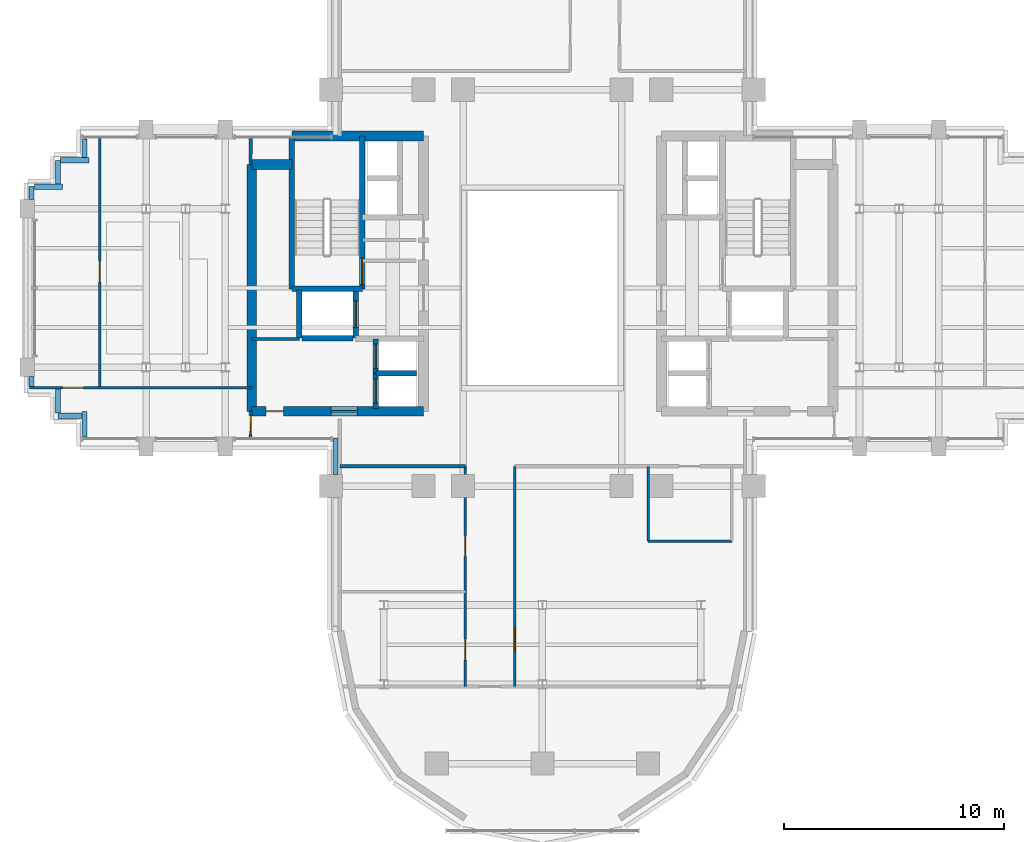
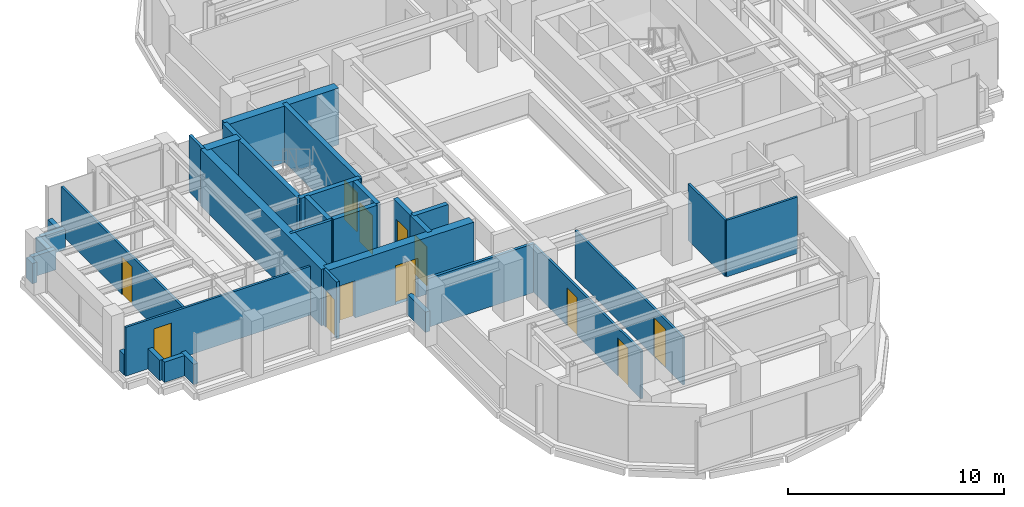
# One storey, part 8 of 14: 33 walls, 12 doors, 12 openings.
"""IFC4 building model written with IfcOpenShell, lengths in metres."""

from ifc_helpers import new_model, si_unit, direction, frame, frame_2d, origin, place, context, subcontext, project, spatial, rectangle, extrude, source, transform, mapped, material, layer, layer_set, type_object, element, fill, save


model = new_model("IFC4")

# Units and contexts
model_context = context("Model", 3, precision=1e-05, world=origin(), true_north=direction((0.0, 1.0)))
body_context = subcontext(model_context, "Body", "Model", "MODEL_VIEW")
ifc_project = project(units=[si_unit("LENGTHUNIT", "METRE"), si_unit("AREAUNIT", "SQUARE_METRE"), si_unit("VOLUMEUNIT", "CUBIC_METRE"), si_unit("PLANEANGLEUNIT", "RADIAN"), si_unit("MASSUNIT", "GRAM", prefix="KILO")], contexts=[model_context])

# Site, building, storey
site_placement = place(None, origin())
site = spatial("IfcSite", under=ifc_project, at=site_placement, CompositionType="ELEMENT")
building_placement = place(site_placement, origin())
building = spatial("IfcBuilding", under=site, at=building_placement, Name="Keilestroom Media Tower", CompositionType="ELEMENT")
storey_placement = place(building_placement, frame((0.0, 0.0, 110.800048828125)))
storey = spatial("IfcBuildingStorey", under=building, at=storey_placement, Name="L29", CompositionType="ELEMENT", Elevation=110.800048828125)

# Wall, openings, doors
ifc_material_1 = material(Name="Gypsum Plasterboard & Steel Stud", Category="steel")
ifc_layer_1 = layer(ifc_material_1, 0.1201171875)
ifc_layer_set_1 = layer_set([ifc_layer_1], Name="Gypsum Plasterboard & Steel Stud")
wall_type_1 = type_object("IfcWallType", Name="Interior-Partition-Wall-120", PredefinedType="PARTITIONING", material=ifc_layer_set_1)
wall_1_placement = place(storey_placement, frame((-3.5, -18.10009765625, 0.0), z_axis=(0.0, 0.0, 1.0), x_axis=(0.0, 1.0, 0.0)))
wall_1 = element("IfcWall", 1, at=wall_1_placement, inside=storey, type_object=wall_type_1, Name="L29 Interior Wall WP-L29-SL-SPW", PredefinedType="PARTITIONING", context=body_context, shape_type="SweptSolid", body=[
    extrude(rectangle(XDim=10.0, YDim=0.1201171875, at=frame_2d((5.0, 0.0))), origin(), (0.0, 0.0, 1.0), 2.699951171875),
])
opening_1_placement = place(wall_1_placement, frame((5.89990234375, 0.0, 0.0)))
opening_1 = element("IfcOpeningElement", 2, at=opening_1_placement, cuts=wall_1, Name="Opening DI-03", PredefinedType="OPENING", context=body_context, shape_type="SweptSolid", body=[
    extrude(rectangle(XDim=0.949951171875, YDim=2.14990234375, at=frame_2d((0.47509765625, 1.074951171875))), frame((0.0, 0.070068359375, 0.0), z_axis=(0.0, -1.0, 0.0), x_axis=(1.0, 0.0, 0.0)), (0.0, 0.0, 1.0), 0.14013671875),
])
opening_2_placement = place(wall_1_placement, frame((1.199951171875, 0.0, 0.0)))
opening_2 = element("IfcOpeningElement", 3, at=opening_2_placement, cuts=wall_1, Name="Opening DI-03", PredefinedType="OPENING", context=body_context, shape_type="SweptSolid", body=[
    extrude(rectangle(XDim=0.949951171875, YDim=2.14990234375, at=frame_2d((0.47509765625, 1.074951171875))), frame((0.0, 0.070068359375, 0.0), z_axis=(0.0, -1.0, 0.0), x_axis=(1.0, 0.0, 0.0)), (0.0, 0.0, 1.0), 0.14013671875),
])
ifc_material_2 = material(Name="Lacquered European Oak Leaf", Category="wood")
door_type_1 = type_object("IfcDoorType", Name="Interior-Room-And-Suite-Door-DI-03", OperationType="NOTDEFINED", PredefinedType="DOOR", material=ifc_material_2)
shared_shape_1 = source(origin(), body_context, "Body", "SweptSolid", [
    extrude(rectangle(XDim=0.949951171875, YDim=2.14990234375, at=frame_2d((0.47509765625, 1.074951171875))), frame((0.0, 0.02490234375, 0.0), z_axis=(0.0, -1.0, 0.0), x_axis=(1.0, 0.0, 0.0)), (0.0, 0.0, 1.0), 0.050048828125),
])
door_1_placement = place(opening_1_placement, origin())
door_1 = element("IfcDoor", 4, at=door_1_placement, inside=storey, type_object=door_type_1, Name="L29 Interior Door DI-L29-DSL-W1", OperationType="SINGLE_SWING_RIGHT", OverallHeight=2.14990234375, OverallWidth=0.949951171875, PredefinedType="DOOR", context=body_context, shape_type="MappedRepresentation", body=[
    mapped(shared_shape_1, transform((0.0, 0.0, 0.0), x_axis=(1.0, 0.0, 0.0), y_axis=(0.0, 1.0, 0.0), z_axis=(0.0, 0.0, 1.0), scale=1.0)),
])
fill(opening_1, door_1)
door_2_placement = place(opening_2_placement, origin())
door_2 = element("IfcDoor", 5, at=door_2_placement, inside=storey, type_object=door_type_1, Name="L29 Interior Door DI-L29-DSL-W2", OperationType="SINGLE_SWING_LEFT", OverallHeight=2.14990234375, OverallWidth=0.949951171875, PredefinedType="DOOR", context=body_context, shape_type="MappedRepresentation", body=[
    mapped(shared_shape_1, transform((0.0, 0.0, 0.0), x_axis=(1.0, 0.0, 0.0), y_axis=(0.0, 1.0, 0.0), z_axis=(0.0, 0.0, 1.0), scale=1.0)),
])
fill(opening_2, door_2)

# Wall, opening, door
wall_2_placement = place(storey_placement, frame((-1.260009765625, -18.10009765625, 0.0), z_axis=(0.0, 0.0, 1.0), x_axis=(0.0, 1.0, 0.0)))
wall_2 = element("IfcWall", 6, at=wall_2_placement, inside=storey, type_object=wall_type_1, Name="L29 Interior Wall WP-L29-SL-SPE", PredefinedType="PARTITIONING", context=body_context, shape_type="SweptSolid", body=[
    extrude(rectangle(XDim=10.0, YDim=0.1201171875, at=frame_2d((5.0, 0.0))), origin(), (0.0, 0.0, 1.0), 2.699951171875),
])
opening_3_placement = place(wall_2_placement, frame((1.60009765625, 0.0, 0.0)))
opening_3 = element("IfcOpeningElement", 7, at=opening_3_placement, cuts=wall_2, Name="Opening DI-04", PredefinedType="OPENING", context=body_context, shape_type="SweptSolid", body=[
    extrude(rectangle(XDim=1.10009765625, YDim=2.199951171875, at=frame_2d((0.550048828125, 1.10009765625))), frame((0.0, 0.070068359375, 0.0), z_axis=(0.0, -1.0, 0.0), x_axis=(1.0, 0.0, 0.0)), (0.0, 0.0, 1.0), 0.14013671875),
])
ifc_material_3 = material(Name="Acoustic Glazed Aluminium Leaf", Category="aluminium")
door_type_2 = type_object("IfcDoorType", Name="Interior-Room-And-Suite-Door-DI-04", OperationType="NOTDEFINED", PredefinedType="DOOR", material=ifc_material_3)
shared_shape_2 = source(origin(), body_context, "Body", "SweptSolid", [
    extrude(rectangle(XDim=1.10009765625, YDim=2.199951171875, at=frame_2d((0.550048828125, 1.10009765625))), frame((0.0, 0.02490234375, 0.0), z_axis=(0.0, -1.0, 0.0), x_axis=(1.0, 0.0, 0.0)), (0.0, 0.0, 1.0), 0.050048828125),
])
door_3_placement = place(opening_3_placement, origin())
door_3 = element("IfcDoor", 8, at=door_3_placement, inside=storey, type_object=door_type_2, Name="L29 Interior Door DI-L29-DSL-E1", OperationType="SINGLE_SWING_LEFT", OverallHeight=2.199951171875, OverallWidth=1.10009765625, PredefinedType="DOOR", context=body_context, shape_type="MappedRepresentation", body=[
    mapped(shared_shape_2, transform((0.0, 0.0, 0.0), x_axis=(1.0, 0.0, 0.0), y_axis=(0.0, 1.0, 0.0), z_axis=(0.0, 0.0, 1.0), scale=1.0)),
])
fill(opening_3, door_3)

# Walls
wall_3_placement = place(storey_placement, frame((4.800048828125, -11.5, 0.0), z_axis=(0.0, 0.0, 1.0), x_axis=(1.0, 0.0, 0.0)))
element("IfcWall", 9, at=wall_3_placement, inside=storey, type_object=wall_type_1, Name="L29 Interior Wall WP-L29-SL-WC-S", PredefinedType="PARTITIONING", context=body_context, shape_type="SweptSolid", body=[
    extrude(rectangle(XDim=3.800048828125, YDim=0.1201171875, at=frame_2d((1.89990234375, 0.0))), origin(), (0.0, 0.0, 1.0), 3.199951171875),
])
wall_4_placement = place(storey_placement, frame((4.800048828125, -11.5, 0.0), z_axis=(0.0, 0.0, 1.0), x_axis=(0.0, 1.0, 0.0)))
element("IfcWall", 10, at=wall_4_placement, inside=storey, type_object=wall_type_1, Name="L29 Interior Wall WP-L29-SL-WC-W", PredefinedType="PARTITIONING", context=body_context, shape_type="SweptSolid", body=[
    extrude(rectangle(XDim=3.39990234375, YDim=0.1201171875, at=frame_2d((1.699951171875, 0.0))), origin(), (0.0, 0.0, 1.0), 3.199951171875),
])

# Wall, opening, door
wall_5_placement = place(storey_placement, frame((-23.300048828125, -4.530029296875, 0.0), z_axis=(0.0, 0.0, 1.0), x_axis=(1.0, 0.0, 0.0)))
wall_5 = element("IfcWall", 11, at=wall_5_placement, inside=storey, type_object=wall_type_1, Name="L29 Interior Wall WP-L29-WA-CN", PredefinedType="PARTITIONING", context=body_context, shape_type="SweptSolid", body=[
    extrude(rectangle(XDim=10.10009765625, YDim=0.1201171875, at=frame_2d((5.050048828125, 0.0))), origin(), (0.0, 0.0, 1.0), 2.760009765625),
])
opening_4_placement = place(wall_5_placement, frame((1.5, 0.0, 0.0)))
opening_4 = element("IfcOpeningElement", 12, at=opening_4_placement, cuts=wall_5, Name="Opening DI-03", PredefinedType="OPENING", context=body_context, shape_type="SweptSolid", body=[
    extrude(rectangle(XDim=0.949951171875, YDim=2.14990234375, at=frame_2d((0.47509765625, 1.074951171875))), frame((0.0, 0.070068359375, 0.0), z_axis=(0.0, -1.0, 0.0), x_axis=(1.0, 0.0, 0.0)), (0.0, 0.0, 1.0), 0.14013671875),
])
door_4_placement = place(opening_4_placement, origin())
door_4 = element("IfcDoor", 13, at=door_4_placement, inside=storey, type_object=door_type_1, Name="L29 Interior Door DI-L29-DWA-RN1", OperationType="SINGLE_SWING_RIGHT", OverallHeight=2.14990234375, OverallWidth=0.949951171875, PredefinedType="DOOR", context=body_context, shape_type="MappedRepresentation", body=[
    mapped(shared_shape_1, transform((0.0, 0.0, 0.0), x_axis=(1.0, 0.0, 0.0), y_axis=(0.0, 1.0, 0.0), z_axis=(0.0, 0.0, 1.0), scale=1.0)),
])
fill(opening_4, door_4)

wall_6_placement = place(storey_placement, frame((-20.10009765625, -4.530029296875, 0.0), z_axis=(0.0, 0.0, 1.0), x_axis=(0.0, 1.0, 0.0)))
wall_6 = element("IfcWall", 14, at=wall_6_placement, inside=storey, type_object=wall_type_1, Name="L29 Interior Wall WP-L29-WA-VM", PredefinedType="PARTITIONING", context=body_context, shape_type="SweptSolid", body=[
    extrude(rectangle(XDim=11.380126953125, YDim=0.1201171875, at=frame_2d((5.68994140625, 0.0))), origin(), (0.0, 0.0, 1.0), 2.699951171875),
])
opening_5_placement = place(wall_6_placement, frame((4.800048828125, 0.0, 0.0)))
opening_5 = element("IfcOpeningElement", 15, at=opening_5_placement, cuts=wall_6, Name="Opening DI-03", PredefinedType="OPENING", context=body_context, shape_type="SweptSolid", body=[
    extrude(rectangle(XDim=0.949951171875, YDim=2.14990234375, at=frame_2d((0.47509765625, 1.074951171875))), frame((0.0, 0.070068359375, 0.0), z_axis=(0.0, -1.0, 0.0), x_axis=(1.0, 0.0, 0.0)), (0.0, 0.0, 1.0), 0.14013671875),
])
door_5_placement = place(opening_5_placement, origin())
door_5 = element("IfcDoor", 16, at=door_5_placement, inside=storey, type_object=door_type_1, Name="L29 Interior Door DI-L29-DWA-RN2", OperationType="SINGLE_SWING_LEFT", OverallHeight=2.14990234375, OverallWidth=0.949951171875, PredefinedType="DOOR", context=body_context, shape_type="MappedRepresentation", body=[
    mapped(shared_shape_1, transform((0.0, 0.0, 0.0), x_axis=(1.0, 0.0, 0.0), y_axis=(0.0, 1.0, 0.0), z_axis=(0.0, 0.0, 1.0), scale=1.0)),
])
fill(opening_5, door_5)

# Walls
ifc_layer_2 = layer(ifc_material_1, 0.14990234375)
ifc_layer_set_2 = layer_set([ifc_layer_2], Name="Gypsum Plasterboard & Steel Stud")
wall_type_2 = type_object("IfcWallType", Name="Interior-Partition-Wall-150", PredefinedType="PARTITIONING", material=ifc_layer_set_2)
wall_7_placement = place(storey_placement, frame((-13.199951171875, -2.320068359375, 0.0), z_axis=(0.0, 0.0, 1.0), x_axis=(1.0, 0.0, 0.0)))
element("IfcWall", 17, at=wall_7_placement, inside=storey, type_object=wall_type_2, Name="L29 Interior Wall WP-L29-RECLW-N", PredefinedType="PARTITIONING", context=body_context, shape_type="SweptSolid", body=[
    extrude(rectangle(XDim=2.179931640625, YDim=0.14990234375, at=frame_2d((1.08984375, 0.0))), origin(), (0.0, 0.0, 1.0), 3.199951171875),
])
wall_8_placement = place(storey_placement, frame((-9.199951171875, -8.10009765625, 0.0), z_axis=(0.0, 0.0, 1.0), x_axis=(1.0, 0.0, 0.0)))
element("IfcWall", 18, at=wall_8_placement, inside=storey, type_object=wall_type_2, Name="L29 Interior Wall WP-L29-SL-BASE-W", PredefinedType="PARTITIONING", context=body_context, shape_type="SweptSolid", body=[
    extrude(rectangle(XDim=5.699951171875, YDim=0.14990234375, at=frame_2d((2.85009765625, 0.0))), origin(), (0.0, 0.0, 1.0), 2.760009765625),
])
wall_9_placement = place(storey_placement, frame((-13.260009765625, 5.60009765625, 0.0), z_axis=(0.0, 0.0, 1.0), x_axis=(0.016013571389, 0.999871774545, 0.0)))
element("IfcWall", 19, at=wall_9_placement, inside=storey, type_object=wall_type_2, Name="L29 Interior Wall WP-L29-WA-ENTN", PredefinedType="PARTITIONING", context=body_context, shape_type="SweptSolid", body=[
    extrude(rectangle(XDim=1.250244140625, YDim=0.14990234375, at=frame_2d((0.625, 0.0))), origin(), (0.0, 0.0, 1.0), 3.199951171875),
])

# Wall, opening, door
wall_10_placement = place(storey_placement, frame((-13.260009765625, -6.85009765625, 0.0), z_axis=(0.0, 0.0, 1.0), x_axis=(0.016013571389, 0.999871774545, 0.0)))
wall_10 = element("IfcWall", 20, at=wall_10_placement, inside=storey, type_object=wall_type_2, Name="L29 Interior Wall WP-L29-WA-ENTS", PredefinedType="PARTITIONING", context=body_context, shape_type="SweptSolid", body=[
    extrude(rectangle(XDim=1.250244140625, YDim=0.14990234375, at=frame_2d((0.625, 0.0))), origin(), (0.0, 0.0, 1.0), 3.199951171875),
])
opening_6_placement = place(wall_10_placement, frame((0.199951171875, 0.0, 0.0)))
opening_6 = element("IfcOpeningElement", 21, at=opening_6_placement, cuts=wall_10, Name="Opening DI-05", PredefinedType="OPENING", context=body_context, shape_type="SweptSolid", body=[
    extrude(rectangle(XDim=0.85009765625, YDim=2.10009765625, at=frame_2d((0.425048828125, 1.050048828125))), frame((0.0, 0.0849609375, 0.0), z_axis=(0.0, -1.0, 0.0), x_axis=(1.0, 0.0, 0.0)), (0.0, 0.0, 1.0), 0.169921875),
])
ifc_material_4 = material(Name="Moisture-Resistant Oak Leaf", Category="wood")
door_type_3 = type_object("IfcDoorType", Name="Interior-En-Suite-And-Cupboard-Door-DI-05", OperationType="NOTDEFINED", PredefinedType="DOOR", material=ifc_material_4)
shared_shape_3 = source(origin(), body_context, "Body", "SweptSolid", [
    extrude(rectangle(XDim=0.85009765625, YDim=2.10009765625, at=frame_2d((0.425048828125, 1.050048828125))), frame((0.0, 0.02490234375, 0.0), z_axis=(0.0, -1.0, 0.0), x_axis=(1.0, 0.0, 0.0)), (0.0, 0.0, 1.0), 0.050048828125),
])
door_6_placement = place(opening_6_placement, origin())
door_6 = element("IfcDoor", 22, at=door_6_placement, inside=storey, type_object=door_type_3, Name="L29 Interior Door DI-L29-DWA-ENTS", OperationType="SINGLE_SWING_RIGHT", OverallHeight=2.10009765625, OverallWidth=0.85009765625, PredefinedType="DOOR", context=body_context, shape_type="MappedRepresentation", body=[
    mapped(shared_shape_3, transform((0.0, 0.0, 0.0), x_axis=(1.0, 0.0, 0.0), y_axis=(0.0, 1.0, 0.0), z_axis=(0.0, 0.0, 1.0), scale=1.0)),
])
fill(opening_6, door_6)

# Walls
ifc_material_5 = material(Name="Concrete C55/67", Category="concrete")
ifc_layer_3 = layer(ifc_material_5, 0.449951171875)
ifc_layer_set_3 = layer_set([ifc_layer_3], Name="Concrete C55/67")
wall_type_3 = type_object("IfcWallType", Name="Reinforced-Concrete-Core-Shear-Wall-450", PredefinedType="SHEAR", material=ifc_layer_set_3)
wall_11_placement = place(storey_placement, frame((-13.199951171875, -5.60009765625, 0.0), z_axis=(0.0, 0.0, 1.0), x_axis=(0.0, 1.0, 0.0)))
element("IfcWall", 23, at=wall_11_placement, inside=storey, type_object=wall_type_3, Name="L29 Core Shear Wall WL-L29-CORE-W-OUT", PredefinedType="SHEAR", context=body_context, shape_type="SweptSolid", body=[
    extrude(rectangle(XDim=11.2001953125, YDim=0.449951171875, at=frame_2d((5.60009765625, 0.0))), origin(), (0.0, 0.0, 1.0), 3.199951171875),
])
wall_12_placement = place(storey_placement, frame((-11.381103515625, 6.89990234375, 0.0), z_axis=(0.0, 0.0, 1.0), x_axis=(1.0, 0.0, 0.0)))
element("IfcWall", 24, at=wall_12_placement, inside=storey, type_object=wall_type_3, Name="L29 Core Shear Wall WL-L29-CORE-W-N", PredefinedType="SHEAR", context=body_context, shape_type="SweptSolid", body=[
    extrude(rectangle(XDim=5.981201171875, YDim=0.449951171875, at=frame_2d((2.99072265625, 0.0))), origin(), (0.0, 0.0, 1.0), 3.199951171875),
])
wall_13_placement = place(storey_placement, frame((-13.199951171875, 5.60009765625, 0.0), z_axis=(0.0, 0.0, 1.0), x_axis=(1.0, 0.0, 0.0)))
element("IfcWall", 25, at=wall_13_placement, inside=storey, type_object=wall_type_3, Name="L29 Core Shear Wall WL-L29-CNW-N", PredefinedType="SHEAR", context=body_context, shape_type="SweptSolid", body=[
    extrude(rectangle(XDim=1.81884765625, YDim=0.449951171875, at=frame_2d((0.909423828125, 0.0))), origin(), (0.0, 0.0, 1.0), 3.199951171875),
])

# Wall, openings, doors
wall_14_placement = place(storey_placement, frame((-13.199951171875, -5.60009765625, 0.0), z_axis=(0.0, 0.0, 1.0), x_axis=(1.0, 0.0, 0.0)))
wall_14 = element("IfcWall", 26, at=wall_14_placement, inside=storey, type_object=wall_type_3, Name="L29 Core Shear Wall WL-L29-CORE-W-S", PredefinedType="SHEAR", context=body_context, shape_type="SweptSolid", body=[
    extrude(rectangle(XDim=7.800048828125, YDim=0.449951171875, at=frame_2d((3.89990234375, 0.0))), origin(), (0.0, 0.0, 1.0), 3.199951171875),
])
opening_7_placement = place(wall_14_placement, frame((3.60009765625, 0.0, 0.0)))
opening_7 = element("IfcOpeningElement", 27, at=opening_7_placement, cuts=wall_14, Name="Opening DI-02", PredefinedType="OPENING", context=body_context, shape_type="SweptSolid", body=[
    extrude(rectangle(XDim=1.199951171875, YDim=2.199951171875, at=frame_2d((0.60009765625, 1.10009765625))), frame((0.0, 0.23486328125, 0.0), z_axis=(0.0, -1.0, 0.0), x_axis=(1.0, 0.0, 0.0)), (0.0, 0.0, 1.0), 0.469970703125),
])
opening_8_placement = place(wall_14_placement, frame((0.64990234375, 0.0, 0.0)))
opening_8 = element("IfcOpeningElement", 28, at=opening_8_placement, cuts=wall_14, Name="Opening DI-06", PredefinedType="OPENING", context=body_context, shape_type="SweptSolid", body=[
    extrude(rectangle(XDim=0.800048828125, YDim=2.10009765625, at=frame_2d((0.39990234375, 1.050048828125))), frame((0.0, 0.23486328125, 0.0), z_axis=(0.0, -1.0, 0.0), x_axis=(1.0, 0.0, 0.0)), (0.0, 0.0, 1.0), 0.469970703125),
])
ifc_material_6 = material(Name="Powder-Coated Steel Fire Leaf", Category="steel")
door_type_4 = type_object("IfcDoorType", Name="Interior-Compartment-Fire-Door-DI-02", OperationType="NOTDEFINED", PredefinedType="DOOR", material=ifc_material_6)
shared_shape_4 = source(origin(), body_context, "Body", "SweptSolid", [
    extrude(rectangle(XDim=1.199951171875, YDim=2.199951171875, at=frame_2d((0.60009765625, 1.10009765625))), frame((0.0, 0.02490234375, 0.0), z_axis=(0.0, -1.0, 0.0), x_axis=(1.0, 0.0, 0.0)), (0.0, 0.0, 1.0), 0.050048828125),
])
door_7_placement = place(opening_7_placement, origin())
door_7 = element("IfcDoor", 29, at=door_7_placement, inside=storey, type_object=door_type_4, Name="L29 W Passenger Lift Lobby Door", OperationType="SINGLE_SWING_LEFT", OverallHeight=2.199951171875, OverallWidth=1.199951171875, PredefinedType="DOOR", context=body_context, shape_type="MappedRepresentation", body=[
    mapped(shared_shape_4, transform((0.0, 0.0, 0.0), x_axis=(1.0, 0.0, 0.0), y_axis=(0.0, 1.0, 0.0), z_axis=(0.0, 0.0, 1.0), scale=1.0)),
])
fill(opening_7, door_7)
ifc_material_7 = material(Name="Powder-Coated Steel Service Leaf", Category="steel")
door_type_5 = type_object("IfcDoorType", Name="Interior-Riser-Access-Door-DI-06", OperationType="NOTDEFINED", PredefinedType="DOOR", material=ifc_material_7)
shared_shape_5 = source(origin(), body_context, "Body", "SweptSolid", [
    extrude(rectangle(XDim=0.800048828125, YDim=2.10009765625, at=frame_2d((0.39990234375, 1.050048828125))), frame((0.0, 0.02490234375, 0.0), z_axis=(0.0, -1.0, 0.0), x_axis=(1.0, 0.0, 0.0)), (0.0, 0.0, 1.0), 0.050048828125),
])
door_8_placement = place(opening_8_placement, origin())
door_8 = element("IfcDoor", 30, at=door_8_placement, inside=storey, type_object=door_type_5, Name="L29 Reclaimed West Core Room Door", OperationType="SINGLE_SWING_LEFT", OverallHeight=2.10009765625, OverallWidth=0.800048828125, PredefinedType="DOOR", context=body_context, shape_type="MappedRepresentation", body=[
    mapped(shared_shape_5, transform((0.0, 0.0, 0.0), x_axis=(1.0, 0.0, 0.0), y_axis=(0.0, 1.0, 0.0), z_axis=(0.0, 0.0, 1.0), scale=1.0)),
])
fill(opening_8, door_8)

# Wall, opening, door
ifc_material_8 = material(Name="Concrete C50/60", Category="concrete")
ifc_layer_4 = layer(ifc_material_8, 0.25)
ifc_layer_set_4 = layer_set([ifc_layer_4], Name="Concrete C50/60")
wall_type_4 = type_object("IfcWallType", Name="Reinforced-Concrete-Shaft-Wall-250", PredefinedType="SOLIDWALL", material=ifc_layer_set_4)
wall_15_placement = place(storey_placement, frame((-8.178955078125, -0.041015625, 0.0), z_axis=(0.0, 0.0, 1.0), x_axis=(0.0, 1.0, 0.0)))
wall_15 = element("IfcWall", 31, at=wall_15_placement, inside=storey, type_object=wall_type_4, Name="L29 Core Shear Wall WL-L29-STW-W-NEAR", PredefinedType="SOLIDWALL", context=body_context, shape_type="SweptSolid", body=[
    extrude(rectangle(XDim=6.94091796875, YDim=0.25, at=frame_2d((3.470458984375, 0.0))), origin(), (0.0, 0.0, 1.0), 3.199951171875),
])
opening_9_placement = place(wall_15_placement, frame((0.199951171875, 0.0, 0.0)))
opening_9 = element("IfcOpeningElement", 32, at=opening_9_placement, cuts=wall_15, Name="Opening DI-01S", PredefinedType="OPENING", context=body_context, shape_type="SweptSolid", body=[
    extrude(rectangle(XDim=1.199951171875, YDim=2.199951171875, at=frame_2d((0.60009765625, 1.10009765625))), frame((0.0, 0.135009765625, 0.0), z_axis=(0.0, -1.0, 0.0), x_axis=(1.0, 0.0, 0.0)), (0.0, 0.0, 1.0), 0.27001953125),
])
door_type_6 = type_object("IfcDoorType", Name="Interior-Stair-And-Core-Fire-Door-DI-01", OperationType="NOTDEFINED", PredefinedType="DOOR", material=ifc_material_6)
door_9_placement = place(opening_9_placement, origin())
door_9 = element("IfcDoor", 33, at=door_9_placement, inside=storey, type_object=door_type_6, Name="L29 Escape Stair ST-1 Fire Door", OperationType="SINGLE_SWING_LEFT", OverallHeight=2.199951171875, OverallWidth=1.199951171875, PredefinedType="DOOR", context=body_context, shape_type="MappedRepresentation", body=[
    mapped(shared_shape_4, transform((0.0, 0.0, 0.0), x_axis=(1.0, 0.0, 0.0), y_axis=(0.0, 1.0, 0.0), z_axis=(0.0, 0.0, 1.0), scale=1.0)),
])
fill(opening_9, door_9)

# Walls
wall_16_placement = place(storey_placement, frame((-11.381103515625, -0.041015625, 0.0), z_axis=(0.0, 0.0, 1.0), x_axis=(0.0, 1.0, 0.0)))
element("IfcWall", 34, at=wall_16_placement, inside=storey, type_object=wall_type_4, Name="L29 Core Shear Wall WL-L29-STW-W-FAR", PredefinedType="SOLIDWALL", context=body_context, shape_type="SweptSolid", body=[
    extrude(rectangle(XDim=6.94091796875, YDim=0.25, at=frame_2d((3.470458984375, 0.0))), origin(), (0.0, 0.0, 1.0), 3.199951171875),
])
wall_17_placement = place(storey_placement, frame((-11.381103515625, -0.041015625, 0.0), z_axis=(0.0, 0.0, 1.0), x_axis=(1.0, 0.0, 0.0)))
element("IfcWall", 35, at=wall_17_placement, inside=storey, type_object=wall_type_4, Name="L29 Core Shear Wall WL-L29-STW-W-S", PredefinedType="SOLIDWALL", context=body_context, shape_type="SweptSolid", body=[
    extrude(rectangle(XDim=3.2021484375, YDim=0.25, at=frame_2d((1.60107421875, 0.0))), origin(), (0.0, 0.0, 1.0), 3.199951171875),
])
wall_18_placement = place(storey_placement, frame((-11.050048828125, -2.280029296875, 0.0), z_axis=(0.0, 0.0, 1.0), x_axis=(0.0, 1.0, 0.0)))
element("IfcWall", 36, at=wall_18_placement, inside=storey, type_object=wall_type_4, Name="L29 Core Shear Wall WL-L29-LSH-FFL-1-W", PredefinedType="SOLIDWALL", context=body_context, shape_type="SweptSolid", body=[
    extrude(rectangle(XDim=2.179931640625, YDim=0.25, at=frame_2d((1.08984375, 0.0))), origin(), (0.0, 0.0, 1.0), 3.199951171875),
])

# Wall, opening, door
wall_19_placement = place(storey_placement, frame((-8.47998046875, -2.280029296875, 0.0), z_axis=(0.0, 0.0, 1.0), x_axis=(0.0, 1.0, 0.0)))
wall_19 = element("IfcWall", 37, at=wall_19_placement, inside=storey, type_object=wall_type_4, Name="L29 Core Shear Wall WL-L29-LSH-FFL-1-E", PredefinedType="SOLIDWALL", context=body_context, shape_type="SweptSolid", body=[
    extrude(rectangle(XDim=2.179931640625, YDim=0.25, at=frame_2d((1.08984375, 0.0))), origin(), (0.0, 0.0, 1.0), 3.199951171875),
])
opening_10_placement = place(wall_19_placement, frame((0.489990234375, 0.0, 0.0)))
opening_10 = element("IfcOpeningElement", 38, at=opening_10_placement, cuts=wall_19, Name="Opening LD-02", PredefinedType="OPENING", context=body_context, shape_type="SweptSolid", body=[
    extrude(rectangle(XDim=1.199951171875, YDim=2.199951171875, at=frame_2d((0.60009765625, 1.10009765625))), frame((0.0, 0.135009765625, 0.0), z_axis=(0.0, -1.0, 0.0), x_axis=(1.0, 0.0, 0.0)), (0.0, 0.0, 1.0), 0.27001953125),
])
ifc_material_9 = material(Name="Brushed Stainless Steel Sliding Leaf", Category="steel")
door_type_7 = type_object("IfcDoorType", Name="Lift-Landing-Sliding-Door-LD-02", OperationType="SLIDING_TO_RIGHT", PredefinedType="DOOR", material=ifc_material_9)
door_10_placement = place(opening_10_placement, origin())
door_10 = element("IfcDoor", 39, at=door_10_placement, inside=storey, type_object=door_type_7, Name="L29 Lift FFL-1 Landing Sliding Door", OperationType="SLIDING_TO_RIGHT", OverallHeight=2.199951171875, OverallWidth=1.199951171875, PredefinedType="DOOR", context=body_context, shape_type="MappedRepresentation", body=[
    mapped(shared_shape_4, transform((0.0, 0.0, 0.0), x_axis=(1.0, 0.0, 0.0), y_axis=(0.0, 1.0, 0.0), z_axis=(0.0, 0.0, 1.0), scale=1.0)),
])
fill(opening_10, door_10)

# Wall
wall_20_placement = place(storey_placement, frame((-10.9208984375, -2.280029296875, 0.0), z_axis=(0.0, 0.0, 1.0), x_axis=(1.0, 0.0, 0.0)))
element("IfcWall", 40, at=wall_20_placement, inside=storey, type_object=wall_type_4, Name="L29 Core Shear Wall WL-L29-LSH-FFL-1-S", PredefinedType="SOLIDWALL", context=body_context, shape_type="SweptSolid", body=[
    extrude(rectangle(XDim=2.31201171875, YDim=0.25, at=frame_2d((1.156005859375, 0.0))), origin(), (0.0, 0.0, 1.0), 3.199951171875),
])

# Wall, opening, door
wall_21_placement = place(storey_placement, frame((-7.56005859375, -5.47998046875, 0.0), z_axis=(0.0, 0.0, 1.0), x_axis=(0.0, 1.0, 0.0)))
wall_21 = element("IfcWall", 41, at=wall_21_placement, inside=storey, type_object=wall_type_4, Name="L29 Core Shear Wall WL-L29-LSH-PL-M1-W", PredefinedType="SOLIDWALL", context=body_context, shape_type="SweptSolid", body=[
    extrude(rectangle(XDim=1.60009765625, YDim=0.25, at=frame_2d((0.800048828125, 0.0))), origin(), (0.0, 0.0, 1.0), 3.199951171875),
])
opening_11_placement = place(wall_21_placement, frame((0.25, 0.0, 0.0)))
opening_11 = element("IfcOpeningElement", 42, at=opening_11_placement, cuts=wall_21, Name="Opening LD-01", PredefinedType="OPENING", context=body_context, shape_type="SweptSolid", body=[
    extrude(rectangle(XDim=1.10009765625, YDim=2.199951171875, at=frame_2d((0.550048828125, 1.10009765625))), frame((0.0, 0.135009765625, 0.0), z_axis=(0.0, -1.0, 0.0), x_axis=(1.0, 0.0, 0.0)), (0.0, 0.0, 1.0), 0.27001953125),
])
door_type_8 = type_object("IfcDoorType", Name="Lift-Landing-Sliding-Door-LD-01", OperationType="SLIDING_TO_LEFT", PredefinedType="DOOR", material=ifc_material_9)
door_11_placement = place(opening_11_placement, origin())
door_11 = element("IfcDoor", 43, at=door_11_placement, inside=storey, type_object=door_type_8, Name="L29 Lift PL-M1 Landing Sliding Door", OperationType="SLIDING_TO_LEFT", OverallHeight=2.199951171875, OverallWidth=1.10009765625, PredefinedType="DOOR", context=body_context, shape_type="MappedRepresentation", body=[
    mapped(shared_shape_2, transform((0.0, 0.0, 0.0), x_axis=(1.0, 0.0, 0.0), y_axis=(0.0, 1.0, 0.0), z_axis=(0.0, 0.0, 1.0), scale=1.0)),
])
fill(opening_11, door_11)

# Wall
wall_22_placement = place(storey_placement, frame((-7.56005859375, -3.8798828125, 0.0), z_axis=(0.0, 0.0, 1.0), x_axis=(1.0, 0.0, 0.0)))
element("IfcWall", 44, at=wall_22_placement, inside=storey, type_object=wall_type_4, Name="L29 Core Shear Wall WL-L29-LSH-PL-M1-N", PredefinedType="SOLIDWALL", context=body_context, shape_type="SweptSolid", body=[
    extrude(rectangle(XDim=1.840087890625, YDim=0.25, at=frame_2d((0.919921875, 0.0))), origin(), (0.0, 0.0, 1.0), 3.199951171875),
])

# Wall, opening, door
wall_23_placement = place(storey_placement, frame((-7.56005859375, -3.8798828125, 0.0), z_axis=(0.0, 0.0, 1.0), x_axis=(0.0, 1.0, 0.0)))
wall_23 = element("IfcWall", 45, at=wall_23_placement, inside=storey, type_object=wall_type_4, Name="L29 Core Shear Wall WL-L29-LSH-PL-M2-W", PredefinedType="SOLIDWALL", context=body_context, shape_type="SweptSolid", body=[
    extrude(rectangle(XDim=1.559814453125, YDim=0.25, at=frame_2d((0.77978515625, 0.0))), origin(), (0.0, 0.0, 1.0), 3.199951171875),
])
opening_12_placement = place(wall_23_placement, frame((0.22998046875, 0.0, 0.0)))
opening_12 = element("IfcOpeningElement", 46, at=opening_12_placement, cuts=wall_23, Name="Opening LD-01", PredefinedType="OPENING", context=body_context, shape_type="SweptSolid", body=[
    extrude(rectangle(XDim=1.10009765625, YDim=2.199951171875, at=frame_2d((0.550048828125, 1.10009765625))), frame((0.0, 0.135009765625, 0.0), z_axis=(0.0, -1.0, 0.0), x_axis=(1.0, 0.0, 0.0)), (0.0, 0.0, 1.0), 0.27001953125),
])
door_12_placement = place(opening_12_placement, origin())
door_12 = element("IfcDoor", 47, at=door_12_placement, inside=storey, type_object=door_type_8, Name="L29 Lift PL-M2 Landing Sliding Door", OperationType="SLIDING_TO_LEFT", OverallHeight=2.199951171875, OverallWidth=1.10009765625, PredefinedType="DOOR", context=body_context, shape_type="MappedRepresentation", body=[
    mapped(shared_shape_2, transform((0.0, 0.0, 0.0), x_axis=(1.0, 0.0, 0.0), y_axis=(0.0, 1.0, 0.0), z_axis=(0.0, 0.0, 1.0), scale=1.0)),
])
fill(opening_12, door_12)

# Walls
ifc_material_10 = material(Name="Precast concrete C40/50", Category="concrete")
ifc_layer_5 = layer(ifc_material_10, 0.239990234375)
ifc_layer_set_5 = layer_set([ifc_layer_5], Name="Precast concrete C40/50")
wall_type_5 = type_object("IfcWallType", Name="Roof-And-Terrace-Parapet-Wall-240", PredefinedType="PARAPET", material=ifc_layer_set_5)
wall_24_placement = place(storey_placement, frame((-9.39990234375, -8.471923828125, 0.0), z_axis=(0.0, 0.0, 1.0), x_axis=(0.0, 1.0, 0.0)))
element("IfcWall", 48, at=wall_24_placement, inside=storey, type_object=wall_type_5, Name="L29 Perimeter Edge Parapet Wall 09", PredefinedType="PARAPET", context=body_context, shape_type="SweptSolid", body=[
    extrude(rectangle(XDim=1.653076171875, YDim=0.239990234375, at=frame_2d((0.82666015625, 0.0))), origin(), (0.0, 0.0, 1.0), 1.14990234375),
])
wall_25_placement = place(storey_placement, frame((-20.800048828125, -6.757080078125, 0.0), z_axis=(0.0, 0.0, 1.0), x_axis=(0.0, 1.0, 0.0)))
element("IfcWall", 49, at=wall_25_placement, inside=storey, type_object=wall_type_5, Name="L29 Perimeter Edge Parapet Wall 10", PredefinedType="PARAPET", context=body_context, shape_type="SweptSolid", body=[
    extrude(rectangle(XDim=1.156982421875, YDim=0.239990234375, at=frame_2d((0.57861328125, 0.0))), origin(), (0.0, 0.0, 1.0), 1.14990234375),
])
wall_26_placement = place(storey_placement, frame((-20.923095703125, -5.800048828125, 0.0), z_axis=(0.0, 0.0, 1.0), x_axis=(-1.0, 0.0, 0.0)))
element("IfcWall", 50, at=wall_26_placement, inside=storey, type_object=wall_type_5, Name="L29 Perimeter Edge Parapet Wall 11", PredefinedType="PARAPET", context=body_context, shape_type="SweptSolid", body=[
    extrude(rectangle(XDim=1.076904296875, YDim=0.239990234375, at=frame_2d((0.53857421875, 0.0))), origin(), (0.0, 0.0, 1.0), 1.14990234375),
])
wall_27_placement = place(storey_placement, frame((-22.0, -5.677001953125, 0.0), z_axis=(0.0, 0.0, 1.0), x_axis=(0.0, 1.0, 0.0)))
element("IfcWall", 51, at=wall_27_placement, inside=storey, type_object=wall_type_5, Name="L29 Perimeter Edge Parapet Wall 12", PredefinedType="PARAPET", context=body_context, shape_type="SweptSolid", body=[
    extrude(rectangle(XDim=1.083984375, YDim=0.239990234375, at=frame_2d((0.5419921875, 0.0))), origin(), (0.0, 0.0, 1.0), 1.14990234375),
])
wall_28_placement = place(storey_placement, frame((-23.199951171875, -4.467041015625, 0.0), z_axis=(0.0, 0.0, 1.0), x_axis=(0.0, 1.0, 0.0)))
element("IfcWall", 52, at=wall_28_placement, inside=storey, type_object=wall_type_5, Name="L29 Perimeter Edge Parapet Wall 13", PredefinedType="PARAPET", context=body_context, shape_type="SweptSolid", body=[
    extrude(rectangle(XDim=0.43896484375, YDim=0.239990234375, at=frame_2d((0.219482421875, 0.0))), origin(), (0.0, 0.0, 1.0), 1.14990234375),
])
wall_29_placement = place(storey_placement, frame((-23.199951171875, 4.028076171875, 0.0), z_axis=(0.0, 0.0, 1.0), x_axis=(0.0, 1.0, 0.0)))
element("IfcWall", 53, at=wall_29_placement, inside=storey, type_object=wall_type_5, Name="L29 Perimeter Edge Parapet Wall 14", PredefinedType="PARAPET", context=body_context, shape_type="SweptSolid", body=[
    extrude(rectangle(XDim=0.572021484375, YDim=0.239990234375, at=frame_2d((0.2861328125, 0.0))), origin(), (0.0, 0.0, 1.0), 1.14990234375),
])
wall_30_placement = place(storey_placement, frame((-23.076904296875, 4.60009765625, 0.0), z_axis=(0.0, 0.0, 1.0), x_axis=(1.0, 0.0, 0.0)))
element("IfcWall", 54, at=wall_30_placement, inside=storey, type_object=wall_type_5, Name="L29 Perimeter Edge Parapet Wall 15", PredefinedType="PARAPET", context=body_context, shape_type="SweptSolid", body=[
    extrude(rectangle(XDim=1.27685546875, YDim=0.239990234375, at=frame_2d((0.638427734375, 0.0))), origin(), (0.0, 0.0, 1.0), 1.14990234375),
])
wall_31_placement = place(storey_placement, frame((-22.0, 4.722900390625, 0.0), z_axis=(0.0, 0.0, 1.0), x_axis=(0.0, 1.0, 0.0)))
element("IfcWall", 55, at=wall_31_placement, inside=storey, type_object=wall_type_5, Name="L29 Perimeter Edge Parapet Wall 16", PredefinedType="PARAPET", context=body_context, shape_type="SweptSolid", body=[
    extrude(rectangle(XDim=1.0771484375, YDim=0.239990234375, at=frame_2d((0.53857421875, 0.0))), origin(), (0.0, 0.0, 1.0), 1.14990234375),
])
wall_32_placement = place(storey_placement, frame((-21.876953125, 5.800048828125, 0.0), z_axis=(0.0, 0.0, 1.0), x_axis=(1.0, 0.0, 0.0)))
element("IfcWall", 56, at=wall_32_placement, inside=storey, type_object=wall_type_5, Name="L29 Perimeter Edge Parapet Wall 17", PredefinedType="PARAPET", context=body_context, shape_type="SweptSolid", body=[
    extrude(rectangle(XDim=1.27685546875, YDim=0.239990234375, at=frame_2d((0.638427734375, 0.0))), origin(), (0.0, 0.0, 1.0), 1.14990234375),
])
wall_33_placement = place(storey_placement, frame((-20.800048828125, 5.923095703125, 0.0), z_axis=(0.0, 0.0, 1.0), x_axis=(0.0, 1.0, 0.0)))
element("IfcWall", 57, at=wall_33_placement, inside=storey, type_object=wall_type_5, Name="L29 Perimeter Edge Parapet Wall 18", PredefinedType="PARAPET", context=body_context, shape_type="SweptSolid", body=[
    extrude(rectangle(XDim=0.833984375, YDim=0.239990234375, at=frame_2d((0.4169921875, 0.0))), origin(), (0.0, 0.0, 1.0), 1.14990234375),
])

save(model, "model.ifc")
